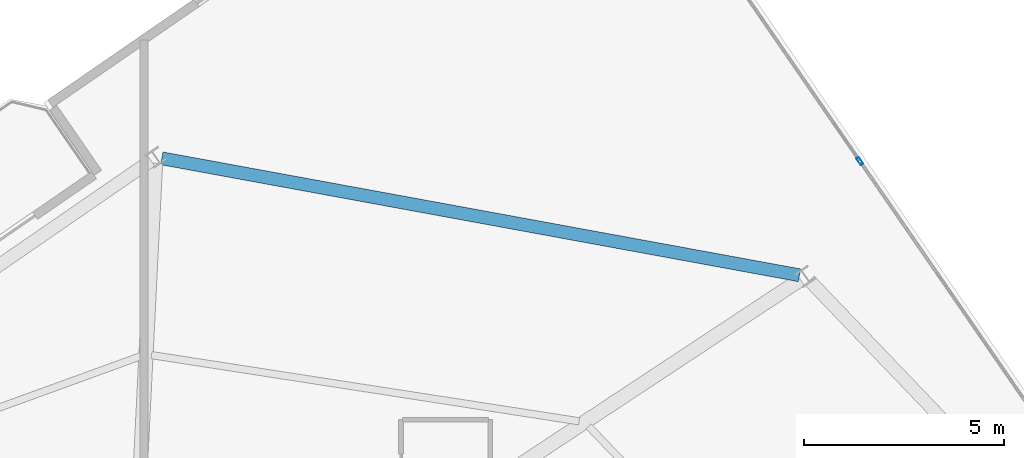
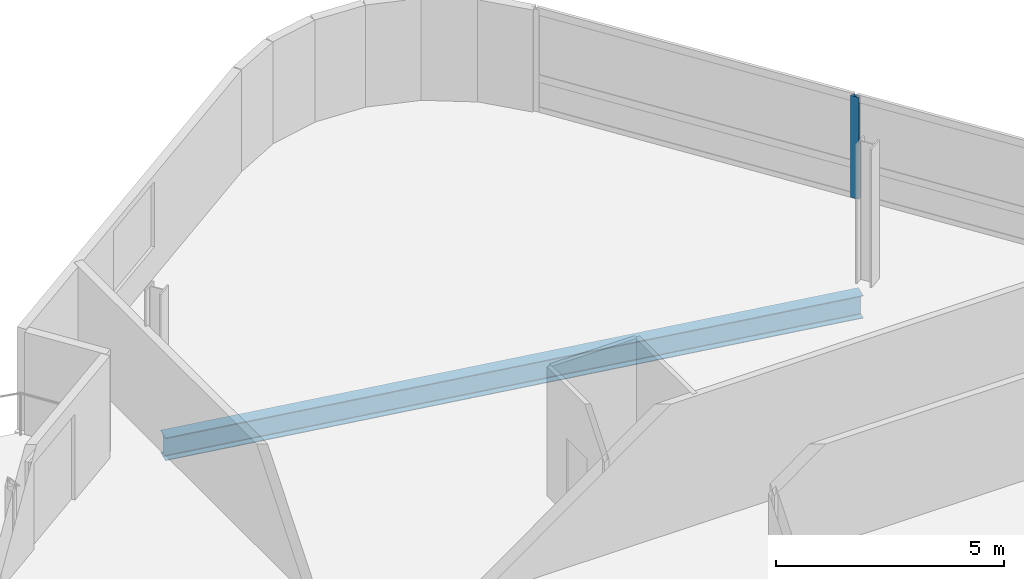
# One storey, part 10 of 23: 1 beam, 1 member, 1 element without a shape of its own.
"""IFC4 building model written with IfcOpenShell, lengths in metres."""

from ifc_helpers import new_model, si_unit, direction, frame, origin, origin_2d, place, context, subcontext, project, spatial, hollow_rectangle, i_section, extrude, material, layer, layer_set, material_profile, profile_set, type_object, element, aggregate, save


model = new_model("IFC4")

# Units and contexts
model_context = context("Model", 3, precision=1e-05, world=origin(), true_north=direction((0.0, 1.0)))
body_context = subcontext(model_context, "Body", "Model", "MODEL_VIEW")
ifc_project = project(units=[si_unit("LENGTHUNIT", "METRE"), si_unit("AREAUNIT", "SQUARE_METRE"), si_unit("VOLUMEUNIT", "CUBIC_METRE"), si_unit("PLANEANGLEUNIT", "RADIAN"), si_unit("MASSUNIT", "GRAM", prefix="KILO")], contexts=[model_context])

# Site, building, storey
site_placement = place(None, origin())
site = spatial("IfcSite", under=ifc_project, at=site_placement, CompositionType="ELEMENT")
building_placement = place(site_placement, origin())
building = spatial("IfcBuilding", under=site, at=building_placement, Name="Varnelok Gate Tower", CompositionType="ELEMENT")
storey_placement = place(building_placement, frame((0.0, 0.0, 258.199951171875)))
storey = spatial("IfcBuildingStorey", under=building, at=storey_placement, Name="L66", CompositionType="ELEMENT", Elevation=258.199951171875)

# Beam
ifc_material_1 = material(Name="Structural Steel ASTM A992 Grade 50", Category="steel")
ifc_material_profile_1 = material_profile(ifc_material_1, i_section(OverallWidth=0.323974609375, OverallDepth=0.611083984375, WebThickness=0.0126953125, FlangeThickness=0.01904296875, FilletRadius=0.01806640625, at=origin_2d()), Name="W24X104")
ifc_profile_set_1 = profile_set([ifc_material_profile_1], Name="Structural Steel ASTM A992 Grade 50")
beam_type = type_object("IfcBeamType", Name="BM-SPN-W24X104", PredefinedType="SPANDREL", material=ifc_profile_set_1)
beam_placement = place(storey_placement, frame((60.406005859375, 47.564453125, -0.555419921875), z_axis=(-0.98359926462, 0.180367642995, 0.0), x_axis=(-0.180367642995, -0.98359926462, 0.0)))
element("IfcBeam", 1, at=beam_placement, inside=storey, type_object=beam_type, Name="L66 Perimeter Spandrel Beam 8", PredefinedType="SPANDREL", context=body_context, shape_type="SweptSolid", body=[
    extrude(i_section(OverallWidth=0.323974609375, OverallDepth=0.611083984375, WebThickness=0.0126953125, FlangeThickness=0.01904296875, FilletRadius=0.01806640625, at=origin_2d()), origin(), (0.0, 0.0, 1.0), 16.23193359375),
])

# Curtain wall, member
ifc_material_2 = material(Name="Anodized Aluminum Alloy 6063-T6", Category="aluminium")
ifc_layer = layer(ifc_material_2, 0.179931640625)
ifc_layer_set = layer_set([ifc_layer], Name="Anodized Aluminum Alloy 6063-T6")
curtain_wall_type = type_object("IfcCurtainWallType", Name="CW4-RESIDENCE-VISION", PredefinedType="USERDEFINED", material=ifc_layer_set)
curtain_wall_placement = place(storey_placement, origin())
curtain_wall = element("IfcCurtainWall", 2, at=curtain_wall_placement, inside=storey, type_object=curtain_wall_type, Name="L66 East End Vision Curtain Wall", ObjectType="UNITISED CURTAIN WALL", PredefinedType="USERDEFINED")
ifc_material_profile_2 = material_profile(ifc_material_2, hollow_rectangle(XDim=0.074951171875, YDim=0.199951171875, WallThickness=0.00390625, at=origin_2d()), Name="ALU200X75X4")
ifc_profile_set_2 = profile_set([ifc_material_profile_2], Name="Anodized Aluminum Alloy 6063-T6")
member_type = type_object("IfcMemberType", Name="CW-MULL-200", PredefinedType="MULLION", material=ifc_profile_set_2)
member_placement = place(storey_placement, frame((61.9189453125, 50.420654296875, 0.0), z_axis=(0.0, 0.0, 1.0), x_axis=(0.823532290241, 0.567269395376, 0.0)))
member = element("IfcMember", 3, at=member_placement, type_object=member_type, Name="CW4 mullion 2", PredefinedType="MULLION", context=body_context, shape_type="SweptSolid", body=[
    extrude(hollow_rectangle(XDim=0.074951171875, YDim=0.199951171875, WallThickness=0.00390625, at=origin_2d()), origin(), (0.0, 0.0, 1.0), 2.72998046875),
])
aggregate(curtain_wall, [member])

save(model, "model.ifc")
